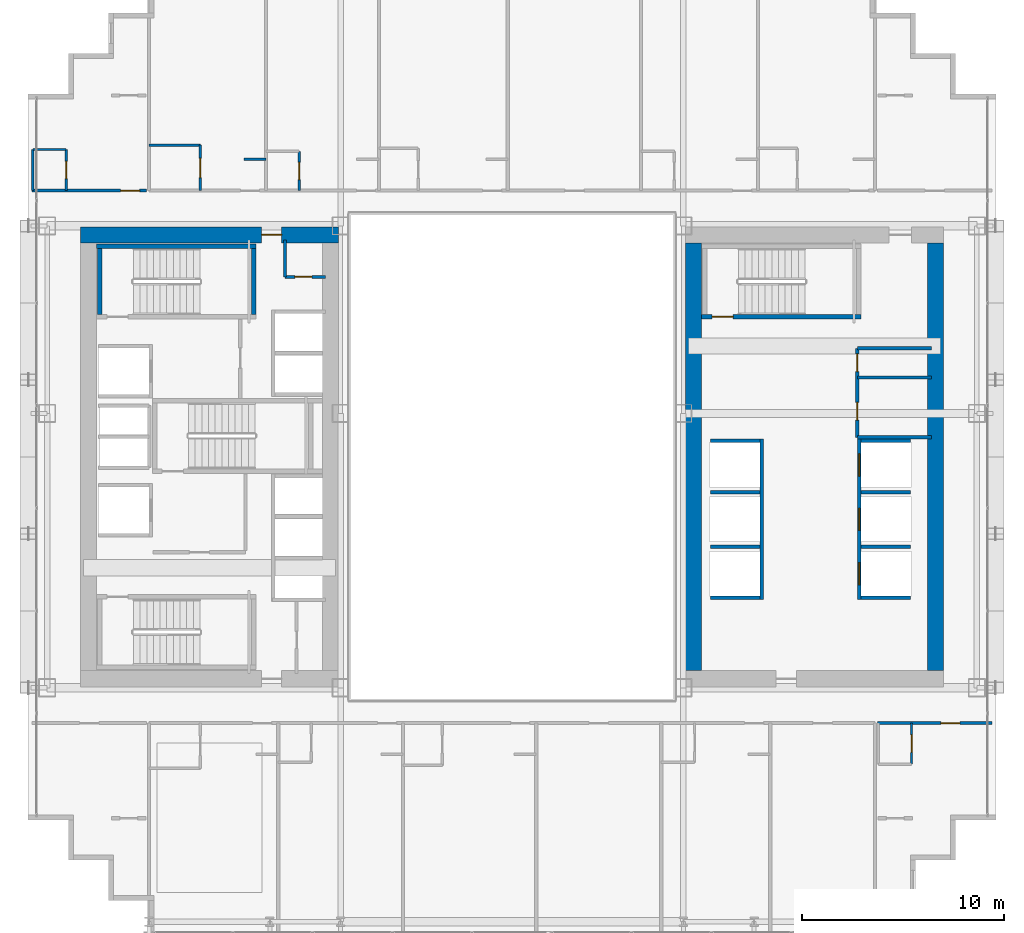
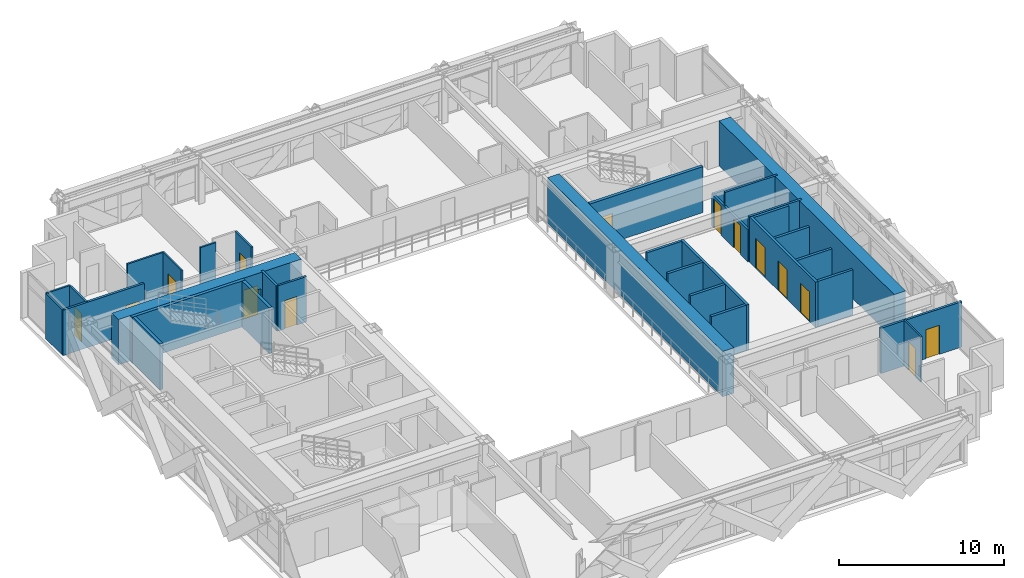
# One storey, part 32 of 38: 33 walls, 14 doors, 14 openings.
"""IFC4 building model written with IfcOpenShell, lengths in metres."""

from ifc_helpers import new_model, si_unit, direction, frame, frame_2d, origin, place, context, subcontext, project, spatial, rectangle, extrude, source, transform, mapped, material, layer, layer_set, type_object, element, fill, save


model = new_model("IFC4")

# Units and contexts
model_context = context("Model", 3, precision=1e-05, world=origin(), true_north=direction((0.0, 1.0)))
body_context = subcontext(model_context, "Body", "Model", "MODEL_VIEW")
ifc_project = project(units=[si_unit("LENGTHUNIT", "METRE"), si_unit("AREAUNIT", "SQUARE_METRE"), si_unit("VOLUMEUNIT", "CUBIC_METRE"), si_unit("PLANEANGLEUNIT", "RADIAN"), si_unit("MASSUNIT", "GRAM", prefix="KILO")], contexts=[model_context])

# Site, building, storey
site_placement = place(None, origin())
site = spatial("IfcSite", under=ifc_project, at=site_placement, CompositionType="ELEMENT")
building_placement = place(site_placement, origin())
building = spatial("IfcBuilding", under=site, at=building_placement, Name="Ocotamira Hotel", CompositionType="ELEMENT")
storey_placement = place(building_placement, frame((0.0, 0.0, 45.60009765625)))
storey = spatial("IfcBuildingStorey", under=building, at=storey_placement, Name="L10", CompositionType="ELEMENT", Elevation=45.60009765625)

# Wall, opening, door
ifc_material_1 = material(Name="Concrete C60/75", Category="concrete")
ifc_layer_1 = layer(ifc_material_1, 0.800048828125)
ifc_layer_set_1 = layer_set([ifc_layer_1], Name="Concrete C60/75")
wall_type_1 = type_object("IfcWallType", Name="WL-CORE-800", PredefinedType="SHEAR", material=ifc_layer_set_1)
wall_1_placement = place(storey_placement, frame((10.60009765625, 37.0, 0.0), z_axis=(0.0, 0.0, 1.0), x_axis=(1.0, 0.0, 0.0)))
wall_1 = element("IfcWall", 1, at=wall_1_placement, inside=storey, type_object=wall_type_1, Name="L10 Shear Core Wall WCORE-N", PredefinedType="SHEAR", context=body_context, shape_type="SweptSolid", body=[
    extrude(rectangle(XDim=12.7998046875, YDim=0.800048828125, at=frame_2d((6.39990234375, 0.0))), origin(), (0.0, 0.0, 1.0), 3.349853515625),
])
opening_1_placement = place(wall_1_placement, frame((8.97998046875, 0.0, 0.0)))
opening_1 = element("IfcOpeningElement", 2, at=opening_1_placement, cuts=wall_1, Name="Opening D-FR2", PredefinedType="OPENING", context=body_context, shape_type="SweptSolid", body=[
    extrude(rectangle(XDim=1.0, YDim=2.14990234375, at=frame_2d((0.5, 1.074951171875))), frame((0.0, 0.41015625, 0.0), z_axis=(0.0, -1.0, 0.0), x_axis=(1.0, 0.0, 0.0)), (0.0, 0.0, 1.0), 0.820068359375),
])
ifc_material_2 = material(Name="Fire-rated acoustic timber-veneer door", Category="wood")
door_type_1 = type_object("IfcDoorType", Name="DR-FIRE-1000", OperationType="NOTDEFINED", PredefinedType="DOOR", material=ifc_material_2)
shared_shape_1 = source(origin(), body_context, "Body", "SweptSolid", [
    extrude(rectangle(XDim=1.0, YDim=2.14990234375, at=frame_2d((0.5, 1.074951171875))), frame((0.0, 0.02490234375, 0.0), z_axis=(0.0, -1.0, 0.0), x_axis=(1.0, 0.0, 0.0)), (0.0, 0.0, 1.0), 0.050048828125),
])
door_1_placement = place(opening_1_placement, origin())
door_1 = element("IfcDoor", 3, at=door_1_placement, inside=storey, type_object=door_type_1, Name="L10 Door ID-L10-WLOB-N-D [ID-L10-WLOB-N-D]", OperationType="SINGLE_SWING_RIGHT", OverallHeight=2.14990234375, OverallWidth=1.0, PredefinedType="DOOR", context=body_context, shape_type="MappedRepresentation", body=[
    mapped(shared_shape_1, transform((0.0, 0.0, 0.0), scale=1.0)),
])
fill(opening_1, door_1)

# Walls
for number, where, z_axis, x_axis, name in (
    (4, (41.0, 15.39990234375, 0.0), (0.0, 0.0, 1.0), (0.0, 1.0, 0.0), "L10 Shear Core Wall ECORE-W"),
    (5, (53.0, 15.39990234375, 0.0), (0.0, 0.0, 1.0), (0.0, 1.0, 0.0), "L10 Shear Core Wall ECORE-E"),
):
    element("IfcWall", number, at=place(storey_placement, frame(where, z_axis=z_axis, x_axis=x_axis)), inside=storey, type_object=wall_type_1, Name=name, PredefinedType="SHEAR", context=body_context, shape_type="SweptSolid", body=[
        extrude(rectangle(XDim=21.2001953125, YDim=0.800048828125, at=frame_2d((10.60009765625, 0.0))), origin(), (0.0, 0.0, 1.0), 3.349853515625),
    ])
ifc_material_3 = material(Name="Acoustic double-layer fire gypsum board partition", Category="gypsum")
ifc_layer_2 = layer(ifc_material_3, 0.159912109375)
ifc_layer_set_2 = layer_set([ifc_layer_2], Name="Acoustic double-layer fire gypsum board partition")
wall_type_2 = type_object("IfcWallType", Name="WL-FIRE-160", PredefinedType="PARTITIONING", material=ifc_layer_set_2)
wall_2_placement = place(storey_placement, frame((49.1201171875, 26.969970703125, 0.0), z_axis=(0.0, 0.0, 1.0), x_axis=(1.0, 0.0, 0.0)))
element("IfcWall", 6, at=wall_2_placement, inside=storey, type_object=wall_type_2, Name="L10 Interior Wall PW-L10-EC-NE-S", PredefinedType="PARTITIONING", context=body_context, shape_type="SweptSolid", body=[
    extrude(rectangle(XDim=3.679931640625, YDim=0.159912109375, at=frame_2d((1.83984375, 0.0))), origin(), (0.0, 0.0, 1.0), 3.349853515625),
])
wall_3_placement = place(storey_placement, frame((49.1201171875, 31.3798828125, 0.0), z_axis=(0.0, 0.0, 1.0), x_axis=(1.0, 0.0, 0.0)))
element("IfcWall", 7, at=wall_3_placement, inside=storey, type_object=wall_type_2, Name="L10 Interior Wall PW-L10-EC-NE-N", PredefinedType="PARTITIONING", context=body_context, shape_type="SweptSolid", body=[
    extrude(rectangle(XDim=3.679931640625, YDim=0.159912109375, at=frame_2d((1.83984375, 0.0))), origin(), (0.0, 0.0, 1.0), 2.35986328125),
])

# Wall, openings, doors
wall_4_placement = place(storey_placement, frame((49.1201171875, 26.969970703125, 0.0), z_axis=(0.0, 0.0, 1.0), x_axis=(0.0, 1.0, 0.0)))
wall_4 = element("IfcWall", 8, at=wall_4_placement, inside=storey, type_object=wall_type_2, Name="L10 Interior Wall PW-L10-EC-NE-W", PredefinedType="PARTITIONING", context=body_context, shape_type="SweptSolid", body=[
    extrude(rectangle(XDim=4.409912109375, YDim=0.159912109375, at=frame_2d((2.205078125, 0.0))), origin(), (0.0, 0.0, 1.0), 2.35986328125),
])
opening_2_placement = place(wall_4_placement, frame((0.85009765625, 0.0, 0.0)))
opening_2 = element("IfcOpeningElement", 9, at=opening_2_placement, cuts=wall_4, Name="Opening D-SV2", PredefinedType="OPENING", context=body_context, shape_type="SweptSolid", body=[
    extrude(rectangle(XDim=0.8798828125, YDim=2.14990234375, at=frame_2d((0.43994140625, 1.074951171875))), frame((0.0, 0.08984375, 0.0), z_axis=(0.0, -1.0, 0.0), x_axis=(1.0, 0.0, 0.0)), (0.0, 0.0, 1.0), 0.179931640625),
])
opening_3_placement = place(wall_4_placement, frame((3.25, 0.0, 0.0)))
opening_3 = element("IfcOpeningElement", 10, at=opening_3_placement, cuts=wall_4, Name="Opening D-SV2", PredefinedType="OPENING", context=body_context, shape_type="SweptSolid", body=[
    extrude(rectangle(XDim=0.8798828125, YDim=2.14990234375, at=frame_2d((0.43994140625, 1.074951171875))), frame((0.0, 0.08984375, 0.0), z_axis=(0.0, -1.0, 0.0), x_axis=(1.0, 0.0, 0.0)), (0.0, 0.0, 1.0), 0.179931640625),
])
ifc_material_4 = material(Name="Fire-rated painted steel service door", Category="steel")
door_type_2 = type_object("IfcDoorType", Name="DR-SERV-880", OperationType="NOTDEFINED", PredefinedType="DOOR", material=ifc_material_4)
shared_shape_2 = source(origin(), body_context, "Body", "SweptSolid", [
    extrude(rectangle(XDim=0.8798828125, YDim=2.14990234375, at=frame_2d((0.43994140625, 1.074951171875))), frame((0.0, 0.02490234375, 0.0), z_axis=(0.0, -1.0, 0.0), x_axis=(1.0, 0.0, 0.0)), (0.0, 0.0, 1.0), 0.050048828125),
])
door_2_placement = place(opening_2_placement, origin())
door_2 = element("IfcDoor", 11, at=door_2_placement, inside=storey, type_object=door_type_2, Name="L10 Door ID-L10-EC-NE-D1 [ID-L10-EC-NE-D1]", OperationType="SINGLE_SWING_LEFT", OverallHeight=2.14990234375, OverallWidth=0.8798828125, PredefinedType="DOOR", context=body_context, shape_type="MappedRepresentation", body=[
    mapped(shared_shape_2, transform((0.0, 0.0, 0.0), scale=1.0)),
])
fill(opening_2, door_2)
door_3_placement = place(opening_3_placement, origin())
door_3 = element("IfcDoor", 12, at=door_3_placement, inside=storey, type_object=door_type_2, Name="L10 Door ID-L10-EC-NE-D2 [ID-L10-EC-NE-D2]", OperationType="SINGLE_SWING_RIGHT", OverallHeight=2.14990234375, OverallWidth=0.8798828125, PredefinedType="DOOR", context=body_context, shape_type="MappedRepresentation", body=[
    mapped(shared_shape_2, transform((0.0, 0.0, 0.0), scale=1.0)),
])
fill(opening_3, door_3)

# Wall, opening, door
wall_5_placement = place(storey_placement, frame((50.1201171875, 12.800048828125, 0.0), z_axis=(0.0, 0.0, 1.0), x_axis=(1.0, 0.0, 0.0)))
wall_5 = element("IfcWall", 13, at=wall_5_placement, inside=storey, type_object=wall_type_2, Name="L10 Interior Wall PW-L10-Z1B-CSE-CW", PredefinedType="PARTITIONING", context=body_context, shape_type="SweptSolid", body=[
    extrude(rectangle(XDim=5.679931640625, YDim=0.159912109375, at=frame_2d((2.83984375, 0.0))), origin(), (0.0, 0.0, 1.0), 3.349853515625),
])
opening_4_placement = place(wall_5_placement, frame((3.14990234375, 0.0, 0.0)))
opening_4 = element("IfcOpeningElement", 14, at=opening_4_placement, cuts=wall_5, Name="Opening D-GR1", PredefinedType="OPENING", context=body_context, shape_type="SweptSolid", body=[
    extrude(rectangle(XDim=0.93994140625, YDim=2.14990234375, at=frame_2d((0.469970703125, 1.074951171875))), frame((0.0, 0.08984375, 0.0), z_axis=(0.0, -1.0, 0.0), x_axis=(1.0, 0.0, 0.0)), (0.0, 0.0, 1.0), 0.179931640625),
])
ifc_material_5 = material(Name="Solid-core walnut suite entrance fire door", Category="wood")
door_type_3 = type_object("IfcDoorType", Name="DR-GUEST-940", OperationType="NOTDEFINED", PredefinedType="DOOR", material=ifc_material_5)
shared_shape_3 = source(origin(), body_context, "Body", "SweptSolid", [
    extrude(rectangle(XDim=0.93994140625, YDim=2.14990234375, at=frame_2d((0.469970703125, 1.074951171875))), frame((0.0, 0.02490234375, 0.0), z_axis=(0.0, -1.0, 0.0), x_axis=(1.0, 0.0, 0.0)), (0.0, 0.0, 1.0), 0.050048828125),
])
door_4_placement = place(opening_4_placement, origin())
door_4 = element("IfcDoor", 15, at=door_4_placement, inside=storey, type_object=door_type_3, Name="L10 Door ID-L10-Z1B-CSE-CD [ID-L10-Z1B-CSE-CD]", OperationType="SINGLE_SWING_RIGHT", OverallHeight=2.14990234375, OverallWidth=0.93994140625, PredefinedType="DOOR", context=body_context, shape_type="MappedRepresentation", body=[
    mapped(shared_shape_3, transform((0.0, 0.0, 0.0), scale=1.0)),
])
fill(opening_4, door_4)

wall_6_placement = place(storey_placement, frame((8.199951171875, 39.199951171875, 0.0), z_axis=(0.0, 0.0, 1.0), x_axis=(1.0, 0.0, 0.0)))
wall_6 = element("IfcWall", 16, at=wall_6_placement, inside=storey, type_object=wall_type_2, Name="L10 Interior Wall PW-L10-Z1B-CNW-CW", PredefinedType="PARTITIONING", context=body_context, shape_type="SweptSolid", body=[
    extrude(rectangle(XDim=5.679931640625, YDim=0.159912109375, at=frame_2d((2.83984375, 0.0))), origin(), (0.0, 0.0, 1.0), 3.349853515625),
])
opening_5_placement = place(wall_6_placement, frame((4.39990234375, 0.0, 0.0)))
opening_5 = element("IfcOpeningElement", 17, at=opening_5_placement, cuts=wall_6, Name="Opening D-GR1", PredefinedType="OPENING", context=body_context, shape_type="SweptSolid", body=[
    extrude(rectangle(XDim=0.93994140625, YDim=2.14990234375, at=frame_2d((0.469970703125, 1.074951171875))), frame((0.0, 0.08984375, 0.0), z_axis=(0.0, -1.0, 0.0), x_axis=(1.0, 0.0, 0.0)), (0.0, 0.0, 1.0), 0.179931640625),
])
door_5_placement = place(opening_5_placement, origin())
door_5 = element("IfcDoor", 18, at=door_5_placement, inside=storey, type_object=door_type_3, Name="L10 Door ID-L10-Z1B-CNW-CD [ID-L10-Z1B-CNW-CD]", OperationType="SINGLE_SWING_RIGHT", OverallHeight=2.14990234375, OverallWidth=0.93994140625, PredefinedType="DOOR", context=body_context, shape_type="MappedRepresentation", body=[
    mapped(shared_shape_3, transform((0.0, 0.0, 0.0), scale=1.0)),
])
fill(opening_5, door_5)

ifc_material_6 = material(Name="Moisture-resistant en-suite tile and gypsum partition", Category="gypsum")
ifc_layer_3 = layer(ifc_material_6, 0.1201171875)
ifc_layer_set_3 = layer_set([ifc_layer_3], Name="Moisture-resistant en-suite tile and gypsum partition")
wall_type_3 = type_object("IfcWallType", Name="WL-PART-120", PredefinedType="PARTITIONING", material=ifc_layer_set_3)
wall_7_placement = place(storey_placement, frame((51.81005859375, 10.760009765625, 0.0), z_axis=(0.0, 0.0, 1.0), x_axis=(0.0, 1.0, 0.0)))
wall_7 = element("IfcWall", 19, at=wall_7_placement, inside=storey, type_object=wall_type_3, Name="L10 Interior Wall PW-L10-Z1B-CSE-BE", PredefinedType="PARTITIONING", context=body_context, shape_type="SweptSolid", body=[
    extrude(rectangle(XDim=2.0400390625, YDim=0.1201171875, at=frame_2d((1.02001953125, 0.0))), origin(), (0.0, 0.0, 1.0), 3.349853515625),
])
opening_6_placement = place(wall_7_placement, frame((0.590087890625, 0.0, 0.0)))
opening_6 = element("IfcOpeningElement", 20, at=opening_6_placement, cuts=wall_7, Name="Opening D-BA1", PredefinedType="OPENING", context=body_context, shape_type="SweptSolid", body=[
    extrude(rectangle(XDim=0.860107421875, YDim=2.10009765625, at=frame_2d((0.43017578125, 1.050048828125))), frame((0.0, 0.070068359375, 0.0), z_axis=(0.0, -1.0, 0.0), x_axis=(1.0, 0.0, 0.0)), (0.0, 0.0, 1.0), 0.14013671875),
])
ifc_material_7 = material(Name="Moisture-sealed en-suite timber door", Category="wood")
door_type_4 = type_object("IfcDoorType", Name="DR-BATH-860", OperationType="NOTDEFINED", PredefinedType="DOOR", material=ifc_material_7)
shared_shape_4 = source(origin(), body_context, "Body", "SweptSolid", [
    extrude(rectangle(XDim=0.860107421875, YDim=2.10009765625, at=frame_2d((0.43017578125, 1.050048828125))), frame((0.0, 0.02490234375, 0.0), z_axis=(0.0, -1.0, 0.0), x_axis=(1.0, 0.0, 0.0)), (0.0, 0.0, 1.0), 0.050048828125),
])
door_6_placement = place(opening_6_placement, origin())
door_6 = element("IfcDoor", 21, at=door_6_placement, inside=storey, type_object=door_type_4, Name="L10 Door ID-L10-Z1B-CSE-BD [ID-L10-Z1B-CSE-BD]", OperationType="SINGLE_SWING_LEFT", OverallHeight=2.10009765625, OverallWidth=0.860107421875, PredefinedType="DOOR", context=body_context, shape_type="MappedRepresentation", body=[
    mapped(shared_shape_4, transform((0.0, 0.0, 0.0), scale=1.0)),
])
fill(opening_6, door_6)

wall_8_placement = place(storey_placement, frame((9.889892578125, 39.199951171875, 0.0), z_axis=(0.0, 0.0, 1.0), x_axis=(0.0, 1.0, 0.0)))
wall_8 = element("IfcWall", 22, at=wall_8_placement, inside=storey, type_object=wall_type_3, Name="L10 Interior Wall PW-L10-Z1B-CNW-BE", PredefinedType="PARTITIONING", context=body_context, shape_type="SweptSolid", body=[
    extrude(rectangle(XDim=2.0400390625, YDim=0.1201171875, at=frame_2d((1.02001953125, 0.0))), origin(), (0.0, 0.0, 1.0), 3.349853515625),
])
opening_7_placement = place(wall_8_placement, frame((0.590087890625, 0.0, 0.0)))
opening_7 = element("IfcOpeningElement", 23, at=opening_7_placement, cuts=wall_8, Name="Opening D-BA1", PredefinedType="OPENING", context=body_context, shape_type="SweptSolid", body=[
    extrude(rectangle(XDim=0.860107421875, YDim=2.10009765625, at=frame_2d((0.43017578125, 1.050048828125))), frame((0.0, 0.070068359375, 0.0), z_axis=(0.0, -1.0, 0.0), x_axis=(1.0, 0.0, 0.0)), (0.0, 0.0, 1.0), 0.14013671875),
])
door_7_placement = place(opening_7_placement, origin())
door_7 = element("IfcDoor", 24, at=door_7_placement, inside=storey, type_object=door_type_4, Name="L10 Door ID-L10-Z1B-CNW-BD [ID-L10-Z1B-CNW-BD]", OperationType="SINGLE_SWING_LEFT", OverallHeight=2.10009765625, OverallWidth=0.860107421875, PredefinedType="DOOR", context=body_context, shape_type="MappedRepresentation", body=[
    mapped(shared_shape_4, transform((0.0, 0.0, 0.0), scale=1.0)),
])
fill(opening_7, door_7)

# Walls
wall_9_placement = place(storey_placement, frame((8.239990234375, 39.199951171875, 0.0), z_axis=(0.0, 0.0, 1.0), x_axis=(0.0, 1.0, 0.0)))
element("IfcWall", 25, at=wall_9_placement, inside=storey, type_object=wall_type_3, Name="L10 Interior Wall PW-L10-Z1B-CNW-BW", PredefinedType="PARTITIONING", context=body_context, shape_type="SweptSolid", body=[
    extrude(rectangle(XDim=2.0400390625, YDim=0.1201171875, at=frame_2d((1.02001953125, 0.0))), origin(), (0.0, 0.0, 1.0), 3.349853515625),
])
wall_10_placement = place(storey_placement, frame((8.239990234375, 41.239990234375, 0.0), z_axis=(0.0, 0.0, 1.0), x_axis=(1.0, 0.0, 0.0)))
element("IfcWall", 26, at=wall_10_placement, inside=storey, type_object=wall_type_3, Name="L10 Interior Wall PW-L10-Z1B-CNW-BH", PredefinedType="PARTITIONING", context=body_context, shape_type="SweptSolid", body=[
    extrude(rectangle(XDim=1.64990234375, YDim=0.1201171875, at=frame_2d((0.824951171875, 0.0))), origin(), (0.0, 0.0, 1.0), 3.349853515625),
])

# Wall, opening, door
wall_11_placement = place(storey_placement, frame((16.550048828125, 39.199951171875, 0.0), z_axis=(0.0, 0.0, 1.0), x_axis=(0.0, 1.0, 0.0)))
wall_11 = element("IfcWall", 27, at=wall_11_placement, inside=storey, type_object=wall_type_3, Name="L10 Interior Wall PW-L10-Z1BN-BAE1", PredefinedType="PARTITIONING", context=body_context, shape_type="SweptSolid", body=[
    extrude(rectangle(XDim=2.25, YDim=0.1201171875, at=frame_2d((1.125, 0.0))), origin(), (0.0, 0.0, 1.0), 3.349853515625),
])
opening_8_placement = place(wall_11_placement, frame((0.64501953125, 0.0, 0.0)))
opening_8 = element("IfcOpeningElement", 28, at=opening_8_placement, cuts=wall_11, Name="Opening D-IN1", PredefinedType="OPENING", context=body_context, shape_type="SweptSolid", body=[
    extrude(rectangle(XDim=0.9599609375, YDim=2.14990234375, at=frame_2d((0.47998046875, 1.074951171875))), frame((0.0, 0.070068359375, 0.0), z_axis=(0.0, -1.0, 0.0), x_axis=(1.0, 0.0, 0.0)), (0.0, 0.0, 1.0), 0.14013671875),
])
ifc_material_8 = material(Name="Accessible walnut interior room door", Category="wood")
door_type_5 = type_object("IfcDoorType", Name="DR-INT-960", OperationType="NOTDEFINED", PredefinedType="DOOR", material=ifc_material_8)
shared_shape_5 = source(origin(), body_context, "Body", "SweptSolid", [
    extrude(rectangle(XDim=0.9599609375, YDim=2.14990234375, at=frame_2d((0.47998046875, 1.074951171875))), frame((0.0, 0.02490234375, 0.0), z_axis=(0.0, -1.0, 0.0), x_axis=(1.0, 0.0, 0.0)), (0.0, 0.0, 1.0), 0.050048828125),
])
door_8_placement = place(opening_8_placement, origin())
door_8 = element("IfcDoor", 29, at=door_8_placement, inside=storey, type_object=door_type_5, Name="L10 Door ID-L10-Z1BN-BAD1 [ID-L10-Z1BN-BAD1]", OperationType="SINGLE_SWING_RIGHT", OverallHeight=2.14990234375, OverallWidth=0.9599609375, PredefinedType="DOOR", context=body_context, shape_type="MappedRepresentation", body=[
    mapped(shared_shape_5, transform((0.0, 0.0, 0.0), scale=1.0)),
])
fill(opening_8, door_8)

# Walls
wall_12_placement = place(storey_placement, frame((14.0, 41.449951171875, 0.0), z_axis=(0.0, 0.0, 1.0), x_axis=(1.0, 0.0, 0.0)))
element("IfcWall", 30, at=wall_12_placement, inside=storey, type_object=wall_type_3, Name="L10 Interior Wall PW-L10-Z1BN-BAN1", PredefinedType="PARTITIONING", context=body_context, shape_type="SweptSolid", body=[
    extrude(rectangle(XDim=2.550048828125, YDim=0.1201171875, at=frame_2d((1.27490234375, 0.0))), origin(), (0.0, 0.0, 1.0), 3.349853515625),
])
wall_13_placement = place(storey_placement, frame((18.699951171875, 40.75, 0.0), z_axis=(0.0, 0.0, 1.0), x_axis=(1.0, 0.0, 0.0)))
element("IfcWall", 31, at=wall_13_placement, inside=storey, type_object=wall_type_3, Name="L10 Interior Wall PW-L10-Z1BN-DRN1", PredefinedType="PARTITIONING", context=body_context, shape_type="SweptSolid", body=[
    extrude(rectangle(XDim=1.10009765625, YDim=0.1201171875, at=frame_2d((0.550048828125, 0.0))), origin(), (0.0, 0.0, 1.0), 3.349853515625),
])

# Wall, opening, door
wall_14_placement = place(storey_placement, frame((21.449951171875, 39.199951171875, 0.0), z_axis=(0.0, 0.0, 1.0), x_axis=(0.0, 1.0, 0.0)))
wall_14 = element("IfcWall", 32, at=wall_14_placement, inside=storey, type_object=wall_type_3, Name="L10 Interior Wall PW-L10-Z1BN-BAE2", PredefinedType="PARTITIONING", context=body_context, shape_type="SweptSolid", body=[
    extrude(rectangle(XDim=1.949951171875, YDim=0.1201171875, at=frame_2d((0.97509765625, 0.0))), origin(), (0.0, 0.0, 1.0), 3.349853515625),
])
opening_9_placement = place(wall_14_placement, frame((0.544921875, 0.0, 0.0)))
opening_9 = element("IfcOpeningElement", 33, at=opening_9_placement, cuts=wall_14, Name="Opening D-BA1", PredefinedType="OPENING", context=body_context, shape_type="SweptSolid", body=[
    extrude(rectangle(XDim=0.860107421875, YDim=2.10009765625, at=frame_2d((0.43017578125, 1.050048828125))), frame((0.0, 0.070068359375, 0.0), z_axis=(0.0, -1.0, 0.0), x_axis=(1.0, 0.0, 0.0)), (0.0, 0.0, 1.0), 0.14013671875),
])
door_9_placement = place(opening_9_placement, origin())
door_9 = element("IfcDoor", 34, at=door_9_placement, inside=storey, type_object=door_type_4, Name="L10 Door ID-L10-Z1BN-BAD2 [ID-L10-Z1BN-BAD2]", OperationType="SINGLE_SWING_LEFT", OverallHeight=2.10009765625, OverallWidth=0.860107421875, PredefinedType="DOOR", context=body_context, shape_type="MappedRepresentation", body=[
    mapped(shared_shape_4, transform((0.0, 0.0, 0.0), scale=1.0)),
])
fill(opening_9, door_9)

# Wall
ifc_material_9 = material(Name="Acoustic hospitality gypsum board partition", Category="gypsum")
ifc_layer_4 = layer(ifc_material_9, 0.14208984375)
ifc_layer_set_4 = layer_set([ifc_layer_4], Name="Acoustic hospitality gypsum board partition")
wall_type_4 = type_object("IfcWallType", Name="WL-PART-142", PredefinedType="PARTITIONING", material=ifc_layer_set_4)
wall_15_placement = place(storey_placement, frame((20.739990234375, 34.919921875, 0.0), z_axis=(0.0, 0.0, 1.0), x_axis=(0.0, 1.0, 0.0)))
element("IfcWall", 35, at=wall_15_placement, inside=storey, type_object=wall_type_4, Name="L10 Interior Wall PW-L10-WC-NE-W1", PredefinedType="PARTITIONING", context=body_context, shape_type="SweptSolid", body=[
    extrude(rectangle(XDim=1.830078125, YDim=0.14208984375, at=frame_2d((0.9150390625, 0.0))), origin(), (0.0, 0.0, 1.0), 3.349853515625),
])

# Wall, opening, door
wall_16_placement = place(storey_placement, frame((20.739990234375, 34.919921875, 0.0), z_axis=(0.0, 0.0, 1.0), x_axis=(1.0, 0.0, 0.0)))
wall_16 = element("IfcWall", 36, at=wall_16_placement, inside=storey, type_object=wall_type_4, Name="L10 Interior Wall PW-L10-WC-NE-S1", PredefinedType="PARTITIONING", context=body_context, shape_type="SweptSolid", body=[
    extrude(rectangle(XDim=2.010009765625, YDim=0.14208984375, at=frame_2d((1.0048828125, 0.0))), origin(), (0.0, 0.0, 1.0), 3.349853515625),
])
opening_10_placement = place(wall_16_placement, frame((0.5, 0.0, 0.0)))
opening_10 = element("IfcOpeningElement", 37, at=opening_10_placement, cuts=wall_16, Name="Opening D-SV1", PredefinedType="OPENING", context=body_context, shape_type="SweptSolid", body=[
    extrude(rectangle(XDim=0.840087890625, YDim=2.10009765625, at=frame_2d((0.419921875, 1.050048828125))), frame((0.0, 0.0810546875, 0.0), z_axis=(0.0, -1.0, 0.0), x_axis=(1.0, 0.0, 0.0)), (0.0, 0.0, 1.0), 0.162109375),
])
door_type_6 = type_object("IfcDoorType", Name="DR-SERV-840", OperationType="NOTDEFINED", PredefinedType="DOOR", material=ifc_material_4)
shared_shape_6 = source(origin(), body_context, "Body", "SweptSolid", [
    extrude(rectangle(XDim=0.840087890625, YDim=2.10009765625, at=frame_2d((0.419921875, 1.050048828125))), frame((0.0, 0.02490234375, 0.0), z_axis=(0.0, -1.0, 0.0), x_axis=(1.0, 0.0, 0.0)), (0.0, 0.0, 1.0), 0.050048828125),
])
door_10_placement = place(opening_10_placement, origin())
door_10 = element("IfcDoor", 38, at=door_10_placement, inside=storey, type_object=door_type_6, Name="L10 Door ID-L10-WC-NE-D1 [ID-L10-WC-NE-D1]", OperationType="SINGLE_SWING_LEFT", OverallHeight=2.10009765625, OverallWidth=0.840087890625, PredefinedType="DOOR", context=body_context, shape_type="MappedRepresentation", body=[
    mapped(shared_shape_6, transform((0.0, 0.0, 0.0), scale=1.0)),
])
fill(opening_10, door_10)

# Wall
ifc_layer_5 = layer(ifc_material_9, 0.14990234375)
ifc_layer_set_5 = layer_set([ifc_layer_5], Name="Acoustic hospitality gypsum board partition")
wall_type_5 = type_object("IfcWallType", Name="WL-PART-150", PredefinedType="PARTITIONING", material=ifc_layer_set_5)
wall_17_placement = place(storey_placement, frame((49.1201171875, 29.929931640625, 0.0), z_axis=(0.0, 0.0, 1.0), x_axis=(1.0, 0.0, 0.0)))
element("IfcWall", 39, at=wall_17_placement, inside=storey, type_object=wall_type_5, Name="L10 Interior Wall PW-L10-EC-NE-Y", PredefinedType="PARTITIONING", context=body_context, shape_type="SweptSolid", body=[
    extrude(rectangle(XDim=3.679931640625, YDim=0.14990234375, at=frame_2d((1.83984375, 0.0))), origin(), (0.0, 0.0, 1.0), 3.349853515625),
])

# Wall, openings, doors
ifc_material_10 = material(Name="Fire-rated gypsum shaftliner board assembly", Category="gypsum")
ifc_layer_6 = layer(ifc_material_10, 0.179931640625)
ifc_layer_set_6 = layer_set([ifc_layer_6], Name="Fire-rated gypsum shaftliner board assembly")
wall_type_6 = type_object("IfcWallType", Name="WL-SHAFT-180", PredefinedType="SOLIDWALL", material=ifc_layer_set_6)
wall_18_placement = place(storey_placement, frame((49.2099609375, 18.919921875, 0.0), z_axis=(0.0, 0.0, 1.0), x_axis=(0.0, 1.0, 0.0)))
wall_18 = element("IfcWall", 40, at=wall_18_placement, inside=storey, type_object=wall_type_6, Name="L10 Interior Wall PW-L10-LFW-BANK-low-F", PredefinedType="SOLIDWALL", context=body_context, shape_type="SweptSolid", body=[
    extrude(rectangle(XDim=7.9599609375, YDim=0.179931640625, at=frame_2d((3.97998046875, 0.0))), origin(), (0.0, 0.0, 1.0), 3.349853515625),
])
opening_11_placement = place(wall_18_placement, frame((0.72998046875, 0.0, 0.0)))
opening_11 = element("IfcOpeningElement", 41, at=opening_11_placement, cuts=wall_18, Name="Opening LD-LF-P1", PredefinedType="OPENING", context=body_context, shape_type="SweptSolid", body=[
    extrude(rectangle(XDim=1.10009765625, YDim=2.199951171875, at=frame_2d((0.550048828125, 1.10009765625))), frame((0.0, 0.10009765625, 0.0), z_axis=(0.0, -1.0, 0.0), x_axis=(1.0, 0.0, 0.0)), (0.0, 0.0, 1.0), 0.199951171875),
])
opening_12_placement = place(wall_18_placement, frame((3.429931640625, 0.0, 0.0)))
opening_12 = element("IfcOpeningElement", 42, at=opening_12_placement, cuts=wall_18, Name="Opening LD-LF-P2", PredefinedType="OPENING", context=body_context, shape_type="SweptSolid", body=[
    extrude(rectangle(XDim=1.10009765625, YDim=2.199951171875, at=frame_2d((0.550048828125, 1.10009765625))), frame((0.0, 0.10009765625, 0.0), z_axis=(0.0, -1.0, 0.0), x_axis=(1.0, 0.0, 0.0)), (0.0, 0.0, 1.0), 0.199951171875),
])
opening_13_placement = place(wall_18_placement, frame((6.1298828125, 0.0, 0.0)))
opening_13 = element("IfcOpeningElement", 43, at=opening_13_placement, cuts=wall_18, Name="Opening LD-LF-P3", PredefinedType="OPENING", context=body_context, shape_type="SweptSolid", body=[
    extrude(rectangle(XDim=1.10009765625, YDim=2.199951171875, at=frame_2d((0.550048828125, 1.10009765625))), frame((0.0, 0.10009765625, 0.0), z_axis=(0.0, -1.0, 0.0), x_axis=(1.0, 0.0, 0.0)), (0.0, 0.0, 1.0), 0.199951171875),
])
ifc_material_11 = material(Name="Brushed pale-metal stainless elevator landing door", Category="steel")
door_type_7 = type_object("IfcDoorType", Name="DR-LIFT-1100", OperationType="NOTDEFINED", PredefinedType="DOOR", material=ifc_material_11)
shared_shape_7 = source(origin(), body_context, "Body", "SweptSolid", [
    extrude(rectangle(XDim=1.10009765625, YDim=2.199951171875, at=frame_2d((0.550048828125, 1.10009765625))), frame((0.0, 0.02490234375, 0.0), z_axis=(0.0, -1.0, 0.0), x_axis=(1.0, 0.0, 0.0)), (0.0, 0.0, 1.0), 0.050048828125),
])
door_11_placement = place(opening_11_placement, origin())
door_11 = element("IfcDoor", 44, at=door_11_placement, inside=storey, type_object=door_type_7, Name="L10 Landing Door LD-LF-P1 [ID-L10-LD-LF-P1]", OperationType="DOUBLE_DOOR_SLIDING", OverallHeight=2.199951171875, OverallWidth=1.10009765625, PredefinedType="DOOR", context=body_context, shape_type="MappedRepresentation", body=[
    mapped(shared_shape_7, transform((0.0, 0.0, 0.0), scale=1.0)),
])
fill(opening_11, door_11)
door_12_placement = place(opening_12_placement, origin())
door_12 = element("IfcDoor", 45, at=door_12_placement, inside=storey, type_object=door_type_7, Name="L10 Landing Door LD-LF-P2 [ID-L10-LD-LF-P2]", OperationType="DOUBLE_DOOR_SLIDING", OverallHeight=2.199951171875, OverallWidth=1.10009765625, PredefinedType="DOOR", context=body_context, shape_type="MappedRepresentation", body=[
    mapped(shared_shape_7, transform((0.0, 0.0, 0.0), scale=1.0)),
])
fill(opening_12, door_12)
door_13_placement = place(opening_13_placement, origin())
door_13 = element("IfcDoor", 46, at=door_13_placement, inside=storey, type_object=door_type_7, Name="L10 Landing Door LD-LF-P3 [ID-L10-LD-LF-P3]", OperationType="DOUBLE_DOOR_SLIDING", OverallHeight=2.199951171875, OverallWidth=1.10009765625, PredefinedType="DOOR", context=body_context, shape_type="MappedRepresentation", body=[
    mapped(shared_shape_7, transform((0.0, 0.0, 0.0), scale=1.0)),
])
fill(opening_13, door_13)

# Walls
for number, where, z_axis, x_axis, name in (
    (47, (49.300048828125, 19.010009765625, 0.0), (0.0, 0.0, 1.0), (1.0, 0.0, 0.0), "L10 Interior Wall PW-L10-LFW-BANK-low-S"),
    (48, (49.300048828125, 26.7900390625, 0.0), (0.0, 0.0, 1.0), (1.0, 0.0, 0.0), "L10 Interior Wall PW-L10-LFW-BANK-low-N"),
    (49, (49.300048828125, 21.550048828125, 0.0), (0.0, 0.0, 1.0), (1.0, 0.0, 0.0), "L10 Interior Wall PW-L10-LFW-DIV-LF-P1"),
    (50, (49.300048828125, 24.25, 0.0), (0.0, 0.0, 1.0), (1.0, 0.0, 0.0), "L10 Interior Wall PW-L10-LFW-DIV-LF-P2"),
):
    element("IfcWall", number, at=place(storey_placement, frame(where, z_axis=z_axis, x_axis=x_axis)), inside=storey, type_object=wall_type_6, Name=name, PredefinedType="SOLIDWALL", context=body_context, shape_type="SweptSolid", body=[
        extrude(rectangle(XDim=2.449951171875, YDim=0.179931640625, at=frame_2d((1.22509765625, 0.0))), origin(), (0.0, 0.0, 1.0), 3.349853515625),
    ])
wall_19_placement = place(storey_placement, frame((44.389892578125, 18.919921875, 0.0), z_axis=(0.0, 0.0, 1.0), x_axis=(0.0, 1.0, 0.0)))
element("IfcWall", 51, at=wall_19_placement, inside=storey, type_object=wall_type_6, Name="L10 Interior Wall PW-L10-LFW-BANK-mid-F", PredefinedType="SOLIDWALL", context=body_context, shape_type="SweptSolid", body=[
    extrude(rectangle(XDim=7.9599609375, YDim=0.179931640625, at=frame_2d((3.97998046875, 0.0))), origin(), (0.0, 0.0, 1.0), 3.349853515625),
])
for number, where, z_axis, x_axis, name in (
    (52, (41.85009765625, 19.010009765625, 0.0), (0.0, 0.0, 1.0), (1.0, 0.0, 0.0), "L10 Interior Wall PW-L10-LFW-BANK-mid-S"),
    (53, (41.85009765625, 26.7900390625, 0.0), (0.0, 0.0, 1.0), (1.0, 0.0, 0.0), "L10 Interior Wall PW-L10-LFW-BANK-mid-N"),
    (54, (41.85009765625, 21.550048828125, 0.0), (0.0, 0.0, 1.0), (1.0, 0.0, 0.0), "L10 Interior Wall PW-L10-LFW-DIV-LF-P4"),
    (55, (41.85009765625, 24.25, 0.0), (0.0, 0.0, 1.0), (1.0, 0.0, 0.0), "L10 Interior Wall PW-L10-LFW-DIV-LF-P5"),
):
    element("IfcWall", number, at=place(storey_placement, frame(where, z_axis=z_axis, x_axis=x_axis)), inside=storey, type_object=wall_type_6, Name=name, PredefinedType="SOLIDWALL", context=body_context, shape_type="SweptSolid", body=[
        extrude(rectangle(XDim=2.449951171875, YDim=0.179931640625, at=frame_2d((1.22509765625, 0.0))), origin(), (0.0, 0.0, 1.0), 3.349853515625),
    ])
ifc_material_12 = material(Name="Concrete C50/60", Category="concrete")
ifc_layer_7 = layer(ifc_material_12, 0.219970703125)
ifc_layer_set_7 = layer_set([ifc_layer_7], Name="Concrete C50/60")
wall_type_7 = type_object("IfcWallType", Name="WL-STAIR-220", PredefinedType="SHEAR", material=ifc_layer_set_7)
wall_20_placement = place(storey_placement, frame((11.39990234375, 36.43994140625, 0.0), z_axis=(0.0, 0.0, 1.0), x_axis=(1.0, 0.0, 0.0)))
element("IfcWall", 56, at=wall_20_placement, inside=storey, type_object=wall_type_7, Name="L10 Stair Shaft Structural Wall ST-2-N", PredefinedType="SHEAR", context=body_context, shape_type="SweptSolid", body=[
    extrude(rectangle(XDim=7.91015625, YDim=0.219970703125, at=frame_2d((3.955078125, 0.0))), origin(), (0.0, 0.0, 1.0), 3.39990234375),
])
for number, where, z_axis, x_axis, name in (
    (57, (11.56005859375, 33.050048828125, 0.0), (0.0, 0.0, 1.0), (0.0, 1.0, 0.0), "L10 Stair Shaft Structural Wall ST-2-W"),
    (58, (19.199951171875, 33.050048828125, 0.0), (0.0, 0.0, 1.0), (0.0, 1.0, 0.0), "L10 Stair Shaft Structural Wall ST-2-E"),
):
    element("IfcWall", number, at=place(storey_placement, frame(where, z_axis=z_axis, x_axis=x_axis)), inside=storey, type_object=wall_type_7, Name=name, PredefinedType="SHEAR", context=body_context, shape_type="SweptSolid", body=[
        extrude(rectangle(XDim=3.280029296875, YDim=0.219970703125, at=frame_2d((1.64013671875, 0.0))), origin(), (0.0, 0.0, 1.0), 3.39990234375),
    ])

# Wall, opening, door
wall_21_placement = place(storey_placement, frame((41.39990234375, 32.93994140625, 0.0), z_axis=(0.0, 0.0, 1.0), x_axis=(1.0, 0.0, 0.0)))
wall_21 = element("IfcWall", 59, at=wall_21_placement, inside=storey, type_object=wall_type_7, Name="L10 Stair Shaft Structural Wall ST-4-S", PredefinedType="SHEAR", context=body_context, shape_type="SweptSolid", body=[
    extrude(rectangle(XDim=7.91015625, YDim=0.219970703125, at=frame_2d((3.955078125, 0.0))), origin(), (0.0, 0.0, 1.0), 3.39990234375),
])
opening_14_placement = place(wall_21_placement, frame((0.52001953125, 0.0, 0.0)))
opening_14 = element("IfcOpeningElement", 60, at=opening_14_placement, cuts=wall_21, Name="Opening D-ST2", PredefinedType="OPENING", context=body_context, shape_type="SweptSolid", body=[
    extrude(rectangle(XDim=1.050048828125, YDim=2.14990234375, at=frame_2d((0.52490234375, 1.074951171875))), frame((0.0, 0.1201171875, 0.0), z_axis=(0.0, -1.0, 0.0), x_axis=(1.0, 0.0, 0.0)), (0.0, 0.0, 1.0), 0.239990234375),
])
ifc_material_13 = material(Name="Insulated painted hollow-metal fire exit door", Category="steel")
door_type_8 = type_object("IfcDoorType", Name="DR-STAIR-1050", OperationType="NOTDEFINED", PredefinedType="DOOR", material=ifc_material_13)
shared_shape_8 = source(origin(), body_context, "Body", "SweptSolid", [
    extrude(rectangle(XDim=1.050048828125, YDim=2.14990234375, at=frame_2d((0.52490234375, 1.074951171875))), frame((0.0, 0.02490234375, 0.0), z_axis=(0.0, -1.0, 0.0), x_axis=(1.0, 0.0, 0.0)), (0.0, 0.0, 1.0), 0.050048828125),
])
door_14_placement = place(opening_14_placement, origin())
door_14 = element("IfcDoor", 61, at=door_14_placement, inside=storey, type_object=door_type_8, Name="L10 Door ID-L10-STD-ST-4 [ID-L10-STD-ST-4]", OperationType="SINGLE_SWING_RIGHT", OverallHeight=2.14990234375, OverallWidth=1.050048828125, PredefinedType="DOOR", context=body_context, shape_type="MappedRepresentation", body=[
    mapped(shared_shape_8, transform((0.0, 0.0, 0.0), scale=1.0)),
])
fill(opening_14, door_14)

save(model, "model.ifc")
